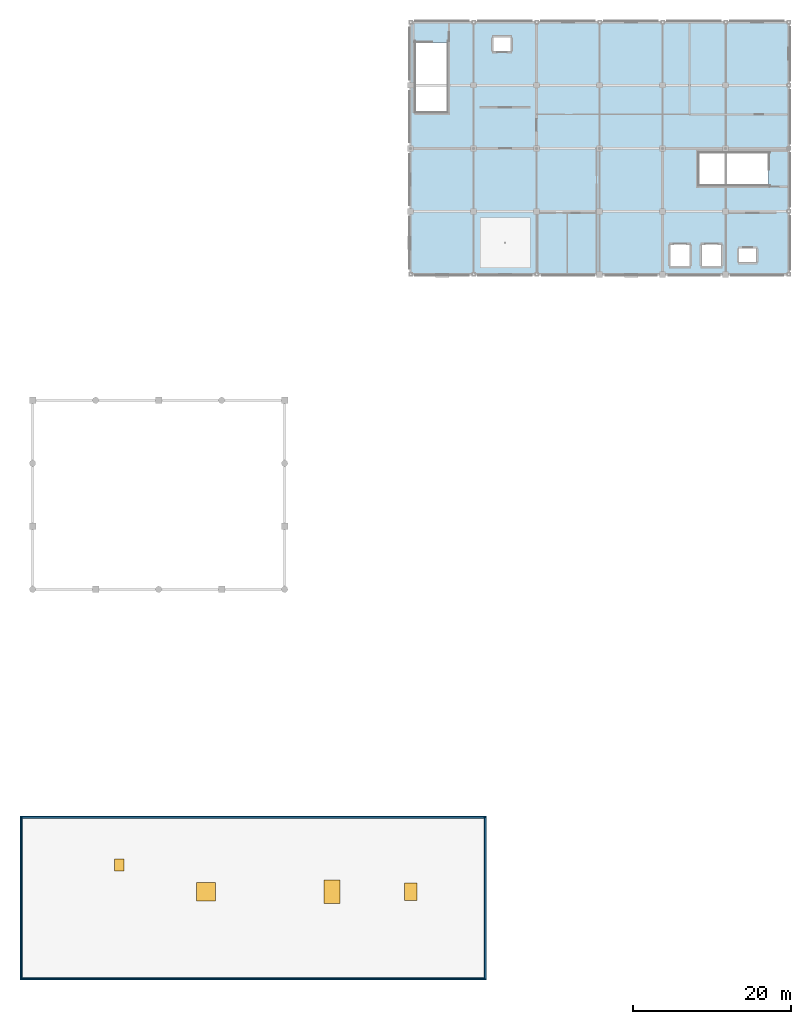
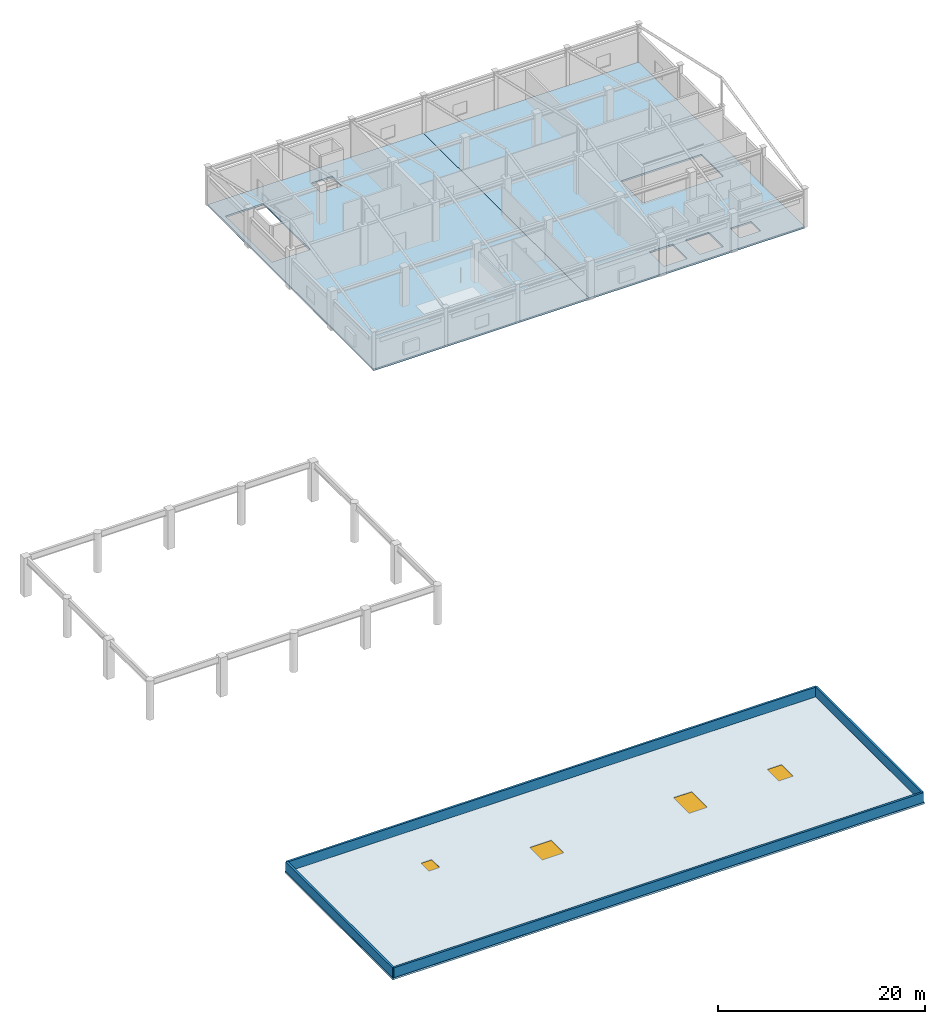
# One storey, part 11 of 16: 4 walls, 4 windows, 3 slabs, 4 openings.
"""IFC4 building model written with IfcOpenShell, lengths in metres."""

from ifc_helpers import new_model, si_unit, direction, frame, frame_2d, origin, origin_2d, place, context, subcontext, project, spatial, polyline, rectangle, outline, extrude, material, layer, layer_set, type_object, element, fill, save


model = new_model("IFC4")

# Units and contexts
model_context = context("Model", 3, precision=1e-05, world=origin(), true_north=direction((0.0, 1.0)))
body_context = subcontext(model_context, "Body", "Model", "MODEL_VIEW")
ifc_project = project(units=[si_unit("LENGTHUNIT", "METRE"), si_unit("AREAUNIT", "SQUARE_METRE"), si_unit("VOLUMEUNIT", "CUBIC_METRE"), si_unit("PLANEANGLEUNIT", "RADIAN"), si_unit("MASSUNIT", "GRAM", prefix="KILO")], contexts=[model_context])

# Site, building, storey
site_placement = place(None, origin())
site = spatial("IfcSite", under=ifc_project, at=site_placement, CompositionType="ELEMENT")
building_placement = place(site_placement, origin())
building = spatial("IfcBuilding", under=site, at=building_placement, Name="Solmirada Galleria", CompositionType="ELEMENT")
storey_placement = place(building_placement, frame((0.0, 0.0, 32.89990234375)))
storey = spatial("IfcBuildingStorey", under=building, at=storey_placement, Name="L07", CompositionType="ELEMENT", Elevation=32.89990234375)

# Slabs
ifc_material_1 = material(Name="Concrete C35/45", Category="concrete")
ifc_layer_1 = layer(ifc_material_1, 0.199951171875)
ifc_layer_set_1 = layer_set([ifc_layer_1], Name="Concrete C35/45")
slab_type_1 = type_object("IfcSlabType", Name="SLB-FLOOR-200", PredefinedType="FLOOR", material=ifc_layer_set_1)
slab_1_placement = place(storey_placement, frame((0.0, 0.0, -0.199951171875)))
element("IfcSlab", 1, at=slab_1_placement, inside=storey, type_object=slab_type_1, Name="Slab L07-NE-W", PredefinedType="FLOOR", context=body_context, shape_type="SweptSolid", body=[
    extrude(outline(polyline([(128.0, 88.0), (152.0, 88.0), (152.0, 120.0), (128.0, 120.0), (128.0, 88.0)]), holes=[polyline([(128.5, 108.5), (132.75, 108.5), (132.75, 117.449951171875), (128.5, 117.449951171875), (128.5, 108.5)]), polyline([(138.449951171875, 116.27490234375), (140.75, 116.27490234375), (140.75, 118.125), (138.449951171875, 118.125), (138.449951171875, 116.27490234375)])]), origin(), (0.0, 0.0, 1.0), 0.199951171875),
])
slab_2_placement = place(storey_placement, frame((0.0, 0.0, -0.199951171875)))
element("IfcSlab", 2, at=slab_2_placement, inside=storey, type_object=slab_type_1, Name="Slab L07-NE-E", PredefinedType="FLOOR", context=body_context, shape_type="SweptSolid", body=[
    extrude(outline(polyline([(152.0, 88.0), (176.0, 88.0), (176.0, 120.0), (152.0, 120.0), (152.0, 88.0)]), holes=[polyline([(164.5, 99.25), (173.449951171875, 99.25), (173.449951171875, 103.5), (164.5, 103.5), (164.5, 99.25)]), polyline([(169.64990234375, 89.47509765625), (171.949951171875, 89.47509765625), (171.949951171875, 91.324951171875), (169.64990234375, 91.324951171875), (169.64990234375, 89.47509765625)]), polyline([(164.89990234375, 89.0), (167.5, 89.0), (167.5, 91.800048828125), (164.89990234375, 91.800048828125), (164.89990234375, 89.0)]), polyline([(160.89990234375, 89.0), (163.5, 89.0), (163.5, 91.800048828125), (160.89990234375, 91.800048828125), (160.89990234375, 89.0)])]), origin(), (0.0, 0.0, 1.0), 0.199951171875),
])

# Slab, openings, windows
ifc_layer_2 = layer(ifc_material_1, 0.219970703125)
ifc_layer_set_2 = layer_set([ifc_layer_2], Name="Concrete C35/45")
slab_type_2 = type_object("IfcSlabType", Name="SLB-ROOF-220", PredefinedType="ROOF", material=ifc_layer_set_2)
slab_3_placement = place(storey_placement, frame((0.0, 0.0, -0.219970703125)))
slab_3 = element("IfcSlab", 3, at=slab_3_placement, inside=storey, type_object=slab_type_2, Name="South Sales Block and Restaurant roof slab", PredefinedType="ROOF", context=body_context, shape_type="SweptSolid", body=[
    extrude(outline(polyline([(78.39990234375, -1.60009765625), (137.60009765625, -1.60009765625), (137.60009765625, 19.199951171875), (78.39990234375, 19.199951171875), (78.39990234375, -1.60009765625)]), holes=[polyline([(100.800048828125, 8.39990234375), (103.199951171875, 8.39990234375), (103.199951171875, 10.800048828125), (100.800048828125, 10.800048828125), (100.800048828125, 8.39990234375)]), polyline([(117.0, 8.10009765625), (119.0, 8.10009765625), (119.0, 11.10009765625), (117.0, 11.10009765625), (117.0, 8.10009765625)]), polyline([(127.199951171875, 8.5), (128.800048828125, 8.5), (128.800048828125, 10.699951171875), (127.199951171875, 10.699951171875), (127.199951171875, 8.5)]), polyline([(90.39990234375, 12.25), (91.60009765625, 12.25), (91.60009765625, 13.75), (90.39990234375, 13.75), (90.39990234375, 12.25)])]), origin(), (0.0, 0.0, 1.0), 0.219970703125),
])
opening_1_placement = place(slab_3_placement, frame((102.0, 9.60009765625, -0.010009765625)))
opening_1 = element("IfcOpeningElement", 4, at=opening_1_placement, cuts=slab_3, Name="Opening SKY1", PredefinedType="OPENING", context=body_context, shape_type="SweptSolid", body=[
    extrude(rectangle(XDim=2.39990234375, YDim=2.39990234375, at=origin_2d()), origin(), (0.0, 0.0, 1.0), 0.239990234375),
])
opening_2_placement = place(slab_3_placement, frame((118.0, 9.60009765625, -0.010009765625)))
opening_2 = element("IfcOpeningElement", 5, at=opening_2_placement, cuts=slab_3, Name="Opening SKY2", PredefinedType="OPENING", context=body_context, shape_type="SweptSolid", body=[
    extrude(rectangle(XDim=2.0, YDim=3.0, at=origin_2d()), origin(), (0.0, 0.0, 1.0), 0.239990234375),
])
opening_3_placement = place(slab_3_placement, frame((128.0, 9.60009765625, -0.010009765625)))
opening_3 = element("IfcOpeningElement", 6, at=opening_3_placement, cuts=slab_3, Name="Opening SKY4", PredefinedType="OPENING", context=body_context, shape_type="SweptSolid", body=[
    extrude(rectangle(XDim=1.60009765625, YDim=2.199951171875, at=origin_2d()), origin(), (0.0, 0.0, 1.0), 0.239990234375),
])
opening_4_placement = place(slab_3_placement, frame((91.0, 13.0, -0.010009765625)))
opening_4 = element("IfcOpeningElement", 7, at=opening_4_placement, cuts=slab_3, Name="Opening SKY5", PredefinedType="OPENING", context=body_context, shape_type="SweptSolid", body=[
    extrude(rectangle(XDim=1.199951171875, YDim=1.5, at=origin_2d()), origin(), (0.0, 0.0, 1.0), 0.239990234375),
])
ifc_material_2 = material(Name="Impact-resistant low-E double glazing", Category="glass")
window_type_1 = type_object("IfcWindowType", Name="SKY-HATCH-120X150", PartitioningType="SINGLE_PANEL", PredefinedType="SKYLIGHT", material=ifc_material_2)
window_1_placement = place(slab_3_placement, frame((91.0, 13.0, 0.169921875)))
window_1 = element("IfcWindow", 8, at=window_1_placement, inside=storey, type_object=window_type_1, Name="Roof skylight / access hatch ROOF-SOUTH-MAIN-04", OverallHeight=1.5, OverallWidth=1.199951171875, PartitioningType="SINGLE_PANEL", PredefinedType="SKYLIGHT", context=body_context, shape_type="SweptSolid", body=[
    extrude(rectangle(XDim=1.199951171875, YDim=1.5, at=origin_2d()), origin(), (0.0, 0.0, 1.0), 0.050048828125),
])
fill(opening_4, window_1)
window_type_2 = type_object("IfcWindowType", Name="SKY-ROOF-160X220", PartitioningType="SINGLE_PANEL", PredefinedType="SKYLIGHT", material=ifc_material_2)
window_2_placement = place(slab_3_placement, frame((128.0, 9.60009765625, 0.169921875)))
window_2 = element("IfcWindow", 9, at=window_2_placement, inside=storey, type_object=window_type_2, Name="Roof skylight / access hatch ROOF-SOUTH-MAIN-03", OverallHeight=2.199951171875, OverallWidth=1.60009765625, PartitioningType="SINGLE_PANEL", PredefinedType="SKYLIGHT", context=body_context, shape_type="SweptSolid", body=[
    extrude(rectangle(XDim=1.60009765625, YDim=2.199951171875, at=origin_2d()), origin(), (0.0, 0.0, 1.0), 0.050048828125),
])
fill(opening_3, window_2)
window_type_3 = type_object("IfcWindowType", Name="SKY-ROOF-200X300", PartitioningType="SINGLE_PANEL", PredefinedType="SKYLIGHT", material=ifc_material_2)
window_3_placement = place(slab_3_placement, frame((118.0, 9.60009765625, 0.169921875)))
window_3 = element("IfcWindow", 10, at=window_3_placement, inside=storey, type_object=window_type_3, Name="Roof skylight / access hatch ROOF-SOUTH-MAIN-02", OverallHeight=3.0, OverallWidth=2.0, PartitioningType="SINGLE_PANEL", PredefinedType="SKYLIGHT", context=body_context, shape_type="SweptSolid", body=[
    extrude(rectangle(XDim=2.0, YDim=3.0, at=origin_2d()), origin(), (0.0, 0.0, 1.0), 0.050048828125),
])
fill(opening_2, window_3)
window_type_4 = type_object("IfcWindowType", Name="SKY-ROOF-240X240", PartitioningType="SINGLE_PANEL", PredefinedType="SKYLIGHT", material=ifc_material_2)
window_4_placement = place(slab_3_placement, frame((102.0, 9.60009765625, 0.169921875)))
window_4 = element("IfcWindow", 11, at=window_4_placement, inside=storey, type_object=window_type_4, Name="Roof skylight / access hatch ROOF-SOUTH-MAIN-01", OverallHeight=2.39990234375, OverallWidth=2.39990234375, PartitioningType="SINGLE_PANEL", PredefinedType="SKYLIGHT", context=body_context, shape_type="SweptSolid", body=[
    extrude(rectangle(XDim=2.39990234375, YDim=2.39990234375, at=origin_2d()), origin(), (0.0, 0.0, 1.0), 0.050048828125),
])
fill(opening_1, window_4)

# Walls
ifc_material_3 = material(Name="Precast concrete C40/50", Category="concrete")
ifc_layer_3 = layer(ifc_material_3, 0.22998046875)
ifc_layer_set_3 = layer_set([ifc_layer_3], Name="Precast concrete C40/50")
wall_type = type_object("IfcWallType", Name="WL-PAR-230", PredefinedType="PARAPET", material=ifc_layer_set_3)
wall_1_placement = place(storey_placement, frame((78.52001953125, -1.47998046875, 0.0), z_axis=(0.0, 0.0, 1.0), x_axis=(1.0, 0.0, 0.0)))
element("IfcWall", 12, at=wall_1_placement, inside=storey, type_object=wall_type, Name="Roof parapet ROOF-SOUTH-MAIN side 1", PredefinedType="PARAPET", context=body_context, shape_type="SweptSolid", body=[
    extrude(rectangle(XDim=58.9599609375, YDim=0.22998046875, at=frame_2d((29.47998046875, 0.0))), origin(), (0.0, 0.0, 1.0), 1.150146484375),
])
wall_2_placement = place(storey_placement, frame((137.47998046875, -1.47998046875, 0.0), z_axis=(0.0, 0.0, 1.0), x_axis=(0.0, 1.0, 0.0)))
element("IfcWall", 13, at=wall_2_placement, inside=storey, type_object=wall_type, Name="Roof parapet ROOF-SOUTH-MAIN side 2", PredefinedType="PARAPET", context=body_context, shape_type="SweptSolid", body=[
    extrude(rectangle(XDim=20.56005859375, YDim=0.22998046875, at=frame_2d((10.280029296875, 0.0))), origin(), (0.0, 0.0, 1.0), 1.150146484375),
])
wall_3_placement = place(storey_placement, frame((137.47998046875, 19.080078125, 0.0), z_axis=(0.0, 0.0, 1.0), x_axis=(-1.0, 0.0, 0.0)))
element("IfcWall", 14, at=wall_3_placement, inside=storey, type_object=wall_type, Name="Roof parapet ROOF-SOUTH-MAIN side 3", PredefinedType="PARAPET", context=body_context, shape_type="SweptSolid", body=[
    extrude(rectangle(XDim=58.9599609375, YDim=0.22998046875, at=frame_2d((29.47998046875, 0.0))), origin(), (0.0, 0.0, 1.0), 1.150146484375),
])
wall_4_placement = place(storey_placement, frame((78.52001953125, 19.080078125, 0.0), z_axis=(0.0, 0.0, 1.0), x_axis=(0.0, -1.0, 0.0)))
element("IfcWall", 15, at=wall_4_placement, inside=storey, type_object=wall_type, Name="Roof parapet ROOF-SOUTH-MAIN side 4", PredefinedType="PARAPET", context=body_context, shape_type="SweptSolid", body=[
    extrude(rectangle(XDim=20.56005859375, YDim=0.22998046875, at=frame_2d((10.280029296875, 0.0))), origin(), (0.0, 0.0, 1.0), 1.150146484375),
])

save(model, "model.ifc")
